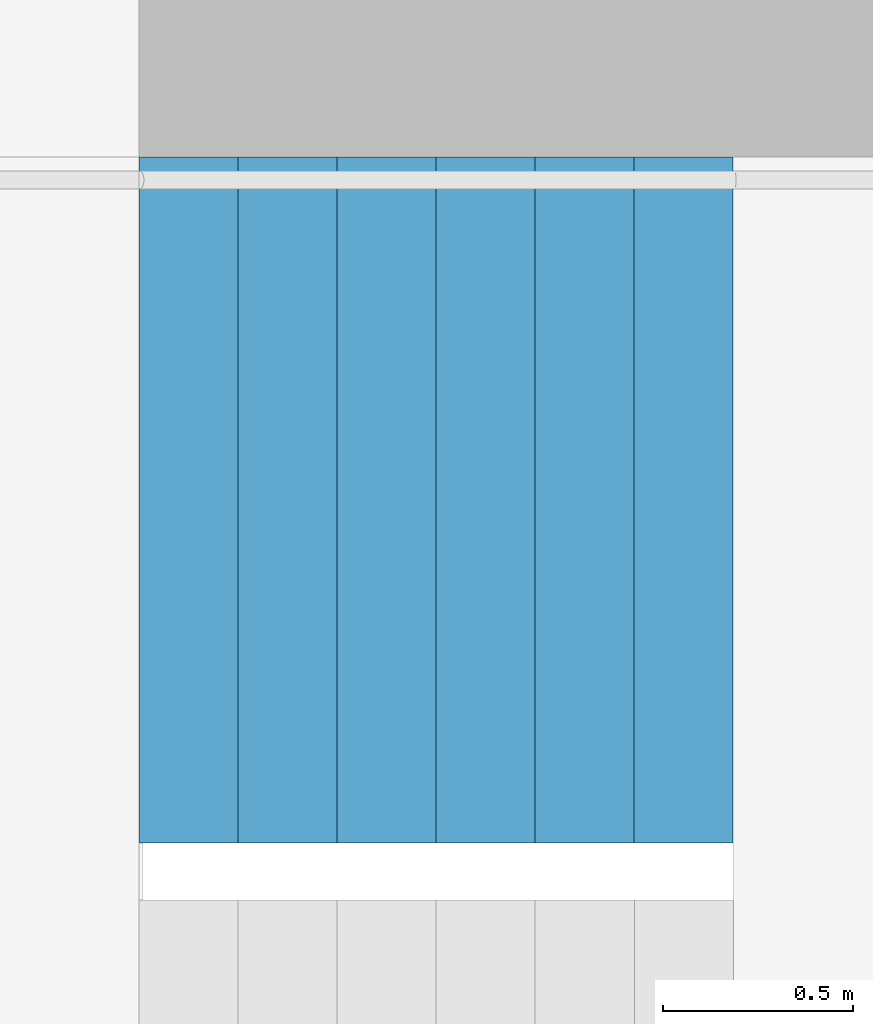
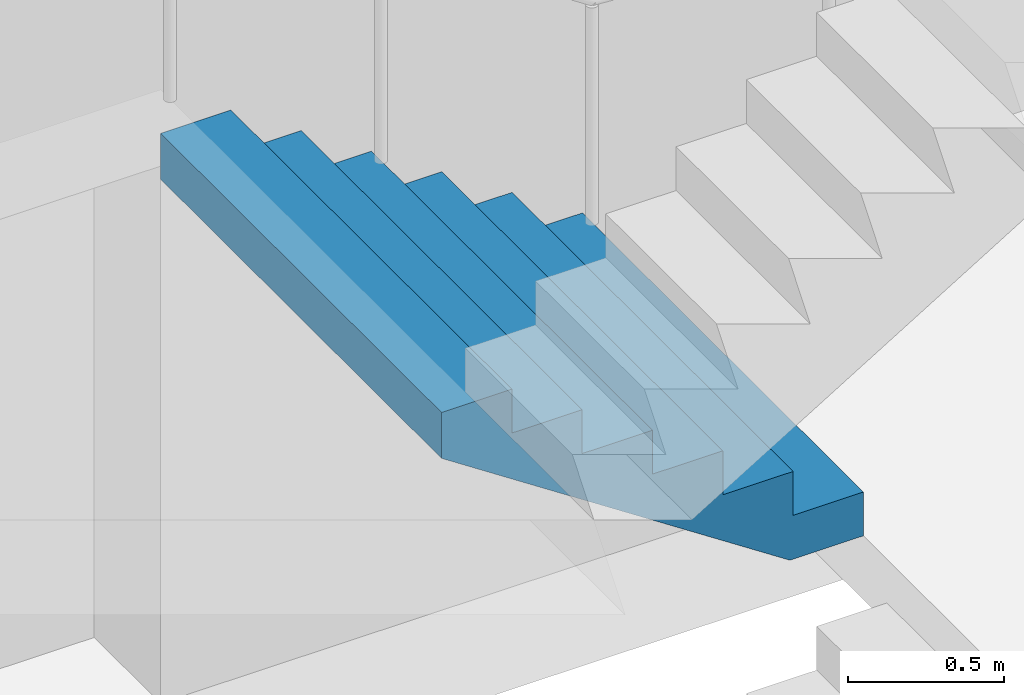
# One storey, part 33 of 53: 1 stair flight, 1 element without a shape of its own.
"""IFC4 building model written with IfcOpenShell, lengths in metres."""

import ifcopenshell
import ifcopenshell.guid

model = None  # the IFC model being written
_history = None  # IfcOwnerHistory: only IFC2X3 demands one
_inside = {}  # id of a spatial element -> (the spatial element, [elements in it])
_under = {}  # id of a project, library or spatial element -> (it, [spatial elements below it])
_declared = {}  # id of a project -> (the project, [libraries it declares])
_typed = {}  # id of a type object -> (the type object, [elements of that type])
_made_of = {}  # id of a material, layer set ... -> (it, [elements and type objects made of it])


def new_model(schema):
    """Start an empty IFC model of exactly this schema.

    Asked for "IFC4X3", IfcOpenShell would pick the latest addendum, in which some entities
    have other attributes; the version numbers below select the first issue.
    IFC2X3 requires an IfcOwnerHistory on every rooted entity: one is made here for all.
    """
    global model, _history
    if schema == "IFC4X3":
        model = ifcopenshell.file(schema_version=(4, 3, 0, 0))
    else:
        model = ifcopenshell.file(schema=schema)
    _inside.clear()
    _under.clear()
    _declared.clear()
    _typed.clear()
    _made_of.clear()
    _history = None
    if model.schema == "IFC2X3":
        org = make("IfcOrganization", Name="unknown")
        user = make(
            "IfcPersonAndOrganization",
            ThePerson=make("IfcPerson", FamilyName="unknown"),
            TheOrganization=org,
        )
        app = make(
            "IfcApplication",
            ApplicationDeveloper=org,
            Version="unknown",
            ApplicationFullName="unknown",
            ApplicationIdentifier="unknown",
        )
        _history = make(
            "IfcOwnerHistory",
            OwningUser=user,
            OwningApplication=app,
            ChangeAction="ADDED",
            CreationDate=0,
        )
    return model


def make(cls, **values):
    """One entity of the class cls with the attributes given. An attribute that is None is left unset."""
    return model.create_entity(
        cls, **{name: value for name, value in values.items() if value is not None}
    )


def rooted(cls, **values):
    """An entity with a GlobalId (a new one), such as an element, a storey or a relation."""
    return make(cls, GlobalId=ifcopenshell.guid.new(), OwnerHistory=_history, **values)


def si_unit(unit_type, name, prefix=None):
    """IfcSIUnit, for example si_unit("LENGTHUNIT", "METRE", prefix="MILLI")."""
    return make("IfcSIUnit", UnitType=unit_type, Prefix=prefix, Name=name)


def assignment(units):
    """IfcUnitAssignment: the units of a project."""
    return None if units is None else make("IfcUnitAssignment", Units=units)


def point(xyz):
    """IfcCartesianPoint."""
    return None if xyz is None else make("IfcCartesianPoint", Coordinates=xyz)


def direction(xyz):
    """IfcDirection."""
    return None if xyz is None else make("IfcDirection", DirectionRatios=xyz)


def frame(location, z_axis=None, x_axis=None):
    """IfcAxis2Placement3D, a coordinate frame: its origin and axes. An axis left out is left unset."""
    return make(
        "IfcAxis2Placement3D",
        Location=point(location),
        Axis=direction(z_axis),
        RefDirection=direction(x_axis),
    )


def origin():
    """The frame at (0, 0, 0) with its axes left unset."""
    return frame((0.0, 0.0, 0.0))


def place(relative_to, where):
    """IfcLocalPlacement: puts the frame where relative to a parent placement (None: the world)."""
    return make(
        "IfcLocalPlacement", PlacementRelTo=relative_to, RelativePlacement=where
    )


def context(
    kind, dimensions, precision=None, world=None, true_north=None, identifier=None
):
    """IfcGeometricRepresentationContext, for example the 3D "Model" context."""
    return make(
        "IfcGeometricRepresentationContext",
        ContextIdentifier=identifier,
        ContextType=kind,
        CoordinateSpaceDimension=dimensions,
        Precision=precision,
        WorldCoordinateSystem=world,
        TrueNorth=true_north,
    )


def subcontext(parent, identifier, kind, view, scale=None):
    """IfcGeometricRepresentationSubContext, for example "Body" below "Model"."""
    return make(
        "IfcGeometricRepresentationSubContext",
        ContextIdentifier=identifier,
        ContextType=kind,
        ParentContext=parent,
        TargetScale=scale,
        TargetView=view,
    )


def project(units=None, contexts=None):
    """IfcProject with its units and contexts."""
    return rooted(
        "IfcProject",
        Name="project",
        RepresentationContexts=contexts,
        UnitsInContext=assignment(units),
    )


def spatial(cls, under=None, at=None, **own):
    """A site, building, storey or space (cls), placed at a placement, below another one or the project."""
    s = rooted(cls, ObjectPlacement=at, **own)
    if under is not None:
        _under.setdefault(under.id(), (under, []))[1].append(s)
    return s


def point_list(points):
    """IfcCartesianPointList2D or 3D."""
    cls = (
        "IfcCartesianPointList2D" if len(points[0]) == 2 else "IfcCartesianPointList3D"
    )
    return make(cls, CoordList=points)


def triangles(points, corners, closed=None, point_numbers=None):
    """IfcTriangulatedFaceSet: each triangle names its three corners, points numbered from 1."""
    return make(
        "IfcTriangulatedFaceSet",
        Coordinates=point_list(points),
        Closed=closed,
        CoordIndex=corners,
        PnIndex=point_numbers,
    )


def shape(context_of_items, identifier, shape_type, items):
    """IfcShapeRepresentation: the items that make up one representation, for example the "Body"."""
    return make(
        "IfcShapeRepresentation",
        ContextOfItems=context_of_items,
        RepresentationIdentifier=identifier,
        RepresentationType=shape_type,
        Items=items,
    )


def material(Name=None, Category=None):
    """IfcMaterial."""
    return make("IfcMaterial", Name=Name, Category=Category)


def made_of(thing, what):
    """Note that an element or type object is made of a material, layer set ...; save() writes the relation."""
    if what is not None:
        _made_of.setdefault(what.id(), (what, []))[1].append(thing)
    return thing


def type_object(cls, material=None, **own):
    """A type object (cls), such as IfcWallType, which elements share."""
    return made_of(rooted(cls, **own), material)


def element(
    cls,
    number,
    at=None,
    inside=None,
    cuts=None,
    type_object=None,
    material=None,
    context=None,
    identifier="Body",
    shape_type=None,
    held_by="IfcProductDefinitionShape",
    body=None,
    shapes=None,
    **own,
):
    """One element of the class cls, such as IfcWall. Its Tag is "e" and its number.

    at: its placement. inside: the storey or other place that contains it. cuts: it is an
    opening in that element (IfcRelVoidsElement). A single representation is given by context,
    identifier, shape_type and body (its items); several are given by shapes. held_by: the class
    of the entity that holds the representations. save() writes the other relations.
    """
    e = rooted(cls, Tag="e%d" % number, ObjectPlacement=at, **own)
    if body is not None:
        shapes = [shape(context, identifier, shape_type, body)]
    if shapes is not None:
        e.Representation = make(held_by, Representations=shapes)
    if inside is not None:
        _inside.setdefault(inside.id(), (inside, []))[1].append(e)
    if cuts is not None:
        rooted(
            "IfcRelVoidsElement", RelatingBuildingElement=cuts, RelatedOpeningElement=e
        )
    if type_object is not None:
        _typed.setdefault(type_object.id(), (type_object, []))[1].append(e)
    return made_of(e, material)


def aggregate(whole, parts):
    """IfcRelAggregates: a whole, such as a stair, and the parts it consists of."""
    return rooted("IfcRelAggregates", RelatingObject=whole, RelatedObjects=parts)


def save(model, path):
    """Write the relations noted so far, then the file.

    IfcRelAggregates (storeys below a building ...), IfcRelContainedInSpatialStructure (elements
    in a storey), IfcRelDefinesByType, IfcRelAssociatesMaterial and IfcRelDeclares: one each for
    every whole, place, type object, material and project.
    """
    for whole, parts in _under.values():
        aggregate(whole, parts)
    for where, things in _inside.values():
        rooted(
            "IfcRelContainedInSpatialStructure",
            RelatedElements=things,
            RelatingStructure=where,
        )
    for kind, things in _typed.values():
        rooted("IfcRelDefinesByType", RelatedObjects=things, RelatingType=kind)
    for what, things in _made_of.values():
        rooted("IfcRelAssociatesMaterial", RelatedObjects=things, RelatingMaterial=what)
    for by, libraries in _declared.values():
        rooted("IfcRelDeclares", RelatingContext=by, RelatedDefinitions=libraries)
    model.write(path)


model = new_model("IFC4")

# Units and contexts
model_context = context("Model", 3, precision=1e-05, world=origin(), true_north=direction((0.0, 1.0)))
body_context = subcontext(model_context, "Body", "Model", "MODEL_VIEW")
ifc_project = project(units=[si_unit("LENGTHUNIT", "METRE"), si_unit("AREAUNIT", "SQUARE_METRE"), si_unit("VOLUMEUNIT", "CUBIC_METRE"), si_unit("PLANEANGLEUNIT", "RADIAN"), si_unit("MASSUNIT", "GRAM", prefix="KILO")], contexts=[model_context])

# Site, building, storey
site_placement = place(None, origin())
site = spatial("IfcSite", under=ifc_project, at=site_placement, CompositionType="ELEMENT")
building_placement = place(site_placement, origin())
building = spatial("IfcBuilding", under=site, at=building_placement, Name="Hakoniwa Tower and Hamabe Station Hall", CompositionType="ELEMENT")
storey_placement = place(building_placement, frame((0.0, 0.0, 15.0)))
storey = spatial("IfcBuildingStorey", under=building, at=storey_placement, Name="L03", CompositionType="ELEMENT", Elevation=15.0)

# Stair, stair flight
ifc_material_1 = material(Name="Concrete C40", Category="concrete")
stair_type = type_object("IfcStairType", Name="ESCAPE STAIR 1800", PredefinedType="HALF_TURN_STAIR", material=ifc_material_1)
stair_placement = place(storey_placement, origin())
stair = element("IfcStair", 1, at=stair_placement, inside=storey, type_object=stair_type, Name="Escape stair ST-1 L03", PredefinedType="HALF_TURN_STAIR")
ifc_material_2 = material(Name="Concrete C40", Category="concrete")
stair_flight_type = type_object("IfcStairFlightType", Name="STAIR FLIGHT 1800", PredefinedType="STRAIGHT", material=ifc_material_2)
stair_flight_placement = place(storey_placement, frame((-22.840087890625, 6.60009765625, 1.199951171875), z_axis=(0.0, 0.0, 1.0), x_axis=(-1.0, 0.0, 0.0)))
stair_flight = element("IfcStairFlight", 2, at=stair_flight_placement, type_object=stair_flight_type, Name="ST-1 flight 2", NumberOfRisers=7, NumberOfTreads=6, PredefinedType="STRAIGHT", RiserHeight=0.171428571, TreadLength=0.26, context=body_context, shape_type="Tessellation", body=[
    triangles([(0.0, 0.89990234375, 0.0), (0.260009765625, 0.89990234375, 0.0), (0.272216796875, 0.89990234375, 0.0), (0.52001953125, 0.89990234375, 0.163330078125), (0.780029296875, 0.89990234375, 0.334716796875), (1.0400390625, 0.89990234375, 0.506103515625), (1.300048828125, 0.89990234375, 0.677490234375), (1.56005859375, 0.89990234375, 0.84912109375), (1.56005859375, 0.89990234375, 1.028564453125), (1.300048828125, 0.89990234375, 1.028564453125), (1.300048828125, 0.89990234375, 0.857177734375), (1.0400390625, 0.89990234375, 0.857177734375), (1.0400390625, 0.89990234375, 0.685791015625), (0.780029296875, 0.89990234375, 0.685791015625), (0.780029296875, 0.89990234375, 0.514404296875), (0.52001953125, 0.89990234375, 0.514404296875), (0.52001953125, 0.89990234375, 0.3427734375), (0.272216796875, 0.89990234375, 0.3427734375), (0.260009765625, 0.89990234375, 0.3427734375), (0.260009765625, 0.89990234375, 0.17138671875), (0.0, 0.89990234375, 0.17138671875), (0.0, 0.06005859375, 0.0), (0.260009765625, 0.06005859375, 0.0), (0.272216796875, 0.06005859375, 0.0), (0.52001953125, 0.06005859375, 0.163330078125), (0.780029296875, 0.06005859375, 0.334716796875), (1.0400390625, 0.06005859375, 0.506103515625), (1.300048828125, 0.06005859375, 0.677490234375), (1.56005859375, 0.06005859375, 0.84912109375), (1.56005859375, 0.06005859375, 1.028564453125), (1.300048828125, 0.06005859375, 1.028564453125), (1.300048828125, 0.06005859375, 0.857177734375), (1.0400390625, 0.06005859375, 0.857177734375), (1.0400390625, 0.06005859375, 0.685791015625), (0.780029296875, 0.06005859375, 0.685791015625), (0.780029296875, 0.06005859375, 0.514404296875), (0.52001953125, 0.06005859375, 0.514404296875), (0.52001953125, 0.06005859375, 0.3427734375), (0.272216796875, 0.06005859375, 0.3427734375), (0.260009765625, 0.06005859375, 0.3427734375), (0.260009765625, 0.06005859375, 0.17138671875), (0.0, 0.06005859375, 0.17138671875), (0.0, 0.049072265625, 0.0), (0.260009765625, 0.049072265625, 0.0), (0.272216796875, 0.049072265625, 0.0), (0.52001953125, 0.049072265625, 0.163330078125), (0.780029296875, 0.049072265625, 0.334716796875), (1.0400390625, 0.049072265625, 0.506103515625), (1.300048828125, 0.049072265625, 0.677490234375), (1.56005859375, 0.049072265625, 0.84912109375), (1.56005859375, 0.049072265625, 1.028564453125), (1.300048828125, 0.049072265625, 1.028564453125), (1.300048828125, 0.049072265625, 0.857177734375), (1.0400390625, 0.049072265625, 0.857177734375), (1.0400390625, 0.049072265625, 0.685791015625), (0.780029296875, 0.049072265625, 0.685791015625), (0.780029296875, 0.049072265625, 0.514404296875), (0.52001953125, 0.049072265625, 0.514404296875), (0.52001953125, 0.049072265625, 0.3427734375), (0.272216796875, 0.049072265625, 0.3427734375), (0.260009765625, 0.049072265625, 0.3427734375), (0.260009765625, 0.049072265625, 0.17138671875), (0.0, 0.049072265625, 0.17138671875), (0.0, 0.0380859375, 0.0), (0.260009765625, 0.0380859375, 0.0), (0.272216796875, 0.0380859375, 0.0), (0.52001953125, 0.0380859375, 0.163330078125), (0.780029296875, 0.0380859375, 0.334716796875), (1.0400390625, 0.0380859375, 0.506103515625), (1.300048828125, 0.0380859375, 0.677490234375), (1.56005859375, 0.0380859375, 0.84912109375), (1.56005859375, 0.0380859375, 1.028564453125), (1.300048828125, 0.0380859375, 1.028564453125), (1.300048828125, 0.0380859375, 0.857177734375), (1.0400390625, 0.0380859375, 0.857177734375), (1.0400390625, 0.0380859375, 0.685791015625), (0.780029296875, 0.0380859375, 0.685791015625), (0.780029296875, 0.0380859375, 0.514404296875), (0.52001953125, 0.0380859375, 0.514404296875), (0.52001953125, 0.0380859375, 0.3427734375), (0.272216796875, 0.0380859375, 0.3427734375), (0.260009765625, 0.0380859375, 0.3427734375), (0.260009765625, 0.0380859375, 0.17138671875), (0.0, 0.0380859375, 0.17138671875), (0.0, 0.02734375, 0.0), (0.260009765625, 0.02734375, 0.0), (0.272216796875, 0.02734375, 0.0), (0.52001953125, 0.02734375, 0.163330078125), (0.780029296875, 0.02734375, 0.334716796875), (1.0400390625, 0.02734375, 0.506103515625), (1.300048828125, 0.02734375, 0.677490234375), (1.56005859375, 0.02734375, 0.84912109375), (1.56005859375, 0.02734375, 1.028564453125), (1.300048828125, 0.02734375, 1.028564453125), (1.300048828125, 0.02734375, 0.857177734375), (1.0400390625, 0.02734375, 0.857177734375), (1.0400390625, 0.02734375, 0.685791015625), (0.780029296875, 0.02734375, 0.685791015625), (0.780029296875, 0.02734375, 0.514404296875), (0.52001953125, 0.02734375, 0.514404296875), (0.52001953125, 0.02734375, 0.3427734375), (0.272216796875, 0.02734375, 0.3427734375), (0.260009765625, 0.02734375, 0.3427734375), (0.260009765625, 0.02734375, 0.17138671875), (0.0, 0.02734375, 0.17138671875), (0.0, 0.016357421875, 0.0), (0.260009765625, 0.016357421875, 0.0), (0.272216796875, 0.016357421875, 0.0), (0.52001953125, 0.016357421875, 0.163330078125), (0.780029296875, 0.016357421875, 0.334716796875), (1.0400390625, 0.016357421875, 0.506103515625), (1.300048828125, 0.016357421875, 0.677490234375), (1.56005859375, 0.016357421875, 0.84912109375), (1.56005859375, 0.016357421875, 1.028564453125), (1.300048828125, 0.016357421875, 1.028564453125), (1.300048828125, 0.016357421875, 0.857177734375), (1.0400390625, 0.016357421875, 0.857177734375), (1.0400390625, 0.016357421875, 0.685791015625), (0.780029296875, 0.016357421875, 0.685791015625), (0.780029296875, 0.016357421875, 0.514404296875), (0.52001953125, 0.016357421875, 0.514404296875), (0.52001953125, 0.016357421875, 0.3427734375), (0.272216796875, 0.016357421875, 0.3427734375), (0.260009765625, 0.016357421875, 0.3427734375), (0.260009765625, 0.016357421875, 0.17138671875), (0.0, 0.016357421875, 0.17138671875), (0.0, 0.00537109375, 0.0), (0.260009765625, 0.00537109375, 0.0), (0.272216796875, 0.00537109375, 0.0), (0.52001953125, 0.00537109375, 0.163330078125), (0.780029296875, 0.00537109375, 0.334716796875), (1.0400390625, 0.00537109375, 0.506103515625), (1.300048828125, 0.00537109375, 0.677490234375), (1.56005859375, 0.00537109375, 0.84912109375), (1.56005859375, 0.00537109375, 1.028564453125), (1.300048828125, 0.00537109375, 1.028564453125), (1.300048828125, 0.00537109375, 0.857177734375), (1.0400390625, 0.00537109375, 0.857177734375), (1.0400390625, 0.00537109375, 0.685791015625), (0.780029296875, 0.00537109375, 0.685791015625), (0.780029296875, 0.00537109375, 0.514404296875), (0.52001953125, 0.00537109375, 0.514404296875), (0.52001953125, 0.00537109375, 0.3427734375), (0.272216796875, 0.00537109375, 0.3427734375), (0.260009765625, 0.00537109375, 0.3427734375), (0.260009765625, 0.00537109375, 0.17138671875), (0.0, 0.00537109375, 0.17138671875), (0.0, -0.00537109375, 0.0), (0.260009765625, -0.00537109375, 0.0), (0.272216796875, -0.00537109375, 0.0), (0.52001953125, -0.00537109375, 0.163330078125), (0.780029296875, -0.00537109375, 0.334716796875), (1.0400390625, -0.00537109375, 0.506103515625), (1.300048828125, -0.00537109375, 0.677490234375), (1.56005859375, -0.00537109375, 0.84912109375), (1.56005859375, -0.00537109375, 1.028564453125), (1.300048828125, -0.00537109375, 1.028564453125), (1.300048828125, -0.00537109375, 0.857177734375), (1.0400390625, -0.00537109375, 0.857177734375), (1.0400390625, -0.00537109375, 0.685791015625), (0.780029296875, -0.00537109375, 0.685791015625), (0.780029296875, -0.00537109375, 0.514404296875), (0.52001953125, -0.00537109375, 0.514404296875), (0.52001953125, -0.00537109375, 0.3427734375), (0.272216796875, -0.00537109375, 0.3427734375), (0.260009765625, -0.00537109375, 0.3427734375), (0.260009765625, -0.00537109375, 0.17138671875), (0.0, -0.00537109375, 0.17138671875), (0.0, -0.016357421875, 0.0), (0.260009765625, -0.016357421875, 0.0), (0.272216796875, -0.016357421875, 0.0), (0.52001953125, -0.016357421875, 0.163330078125), (0.780029296875, -0.016357421875, 0.334716796875), (1.0400390625, -0.016357421875, 0.506103515625), (1.300048828125, -0.016357421875, 0.677490234375), (1.56005859375, -0.016357421875, 0.84912109375), (1.56005859375, -0.016357421875, 1.028564453125), (1.300048828125, -0.016357421875, 1.028564453125), (1.300048828125, -0.016357421875, 0.857177734375), (1.0400390625, -0.016357421875, 0.857177734375), (1.0400390625, -0.016357421875, 0.685791015625), (0.780029296875, -0.016357421875, 0.685791015625), (0.780029296875, -0.016357421875, 0.514404296875), (0.52001953125, -0.016357421875, 0.514404296875), (0.52001953125, -0.016357421875, 0.3427734375), (0.272216796875, -0.016357421875, 0.3427734375), (0.260009765625, -0.016357421875, 0.3427734375), (0.260009765625, -0.016357421875, 0.17138671875), (0.0, -0.016357421875, 0.17138671875), (0.0, -0.02734375, 0.0), (0.260009765625, -0.02734375, 0.0), (0.272216796875, -0.02734375, 0.0), (0.52001953125, -0.02734375, 0.163330078125), (0.780029296875, -0.02734375, 0.334716796875), (1.0400390625, -0.02734375, 0.506103515625), (1.300048828125, -0.02734375, 0.677490234375), (1.56005859375, -0.02734375, 0.84912109375), (1.56005859375, -0.02734375, 1.028564453125), (1.300048828125, -0.02734375, 1.028564453125), (1.300048828125, -0.02734375, 0.857177734375), (1.0400390625, -0.02734375, 0.857177734375), (1.0400390625, -0.02734375, 0.685791015625), (0.780029296875, -0.02734375, 0.685791015625), (0.780029296875, -0.02734375, 0.514404296875), (0.52001953125, -0.02734375, 0.514404296875), (0.52001953125, -0.02734375, 0.3427734375), (0.272216796875, -0.02734375, 0.3427734375), (0.260009765625, -0.02734375, 0.3427734375), (0.260009765625, -0.02734375, 0.17138671875), (0.0, -0.02734375, 0.17138671875), (0.0, -0.0380859375, 0.0), (0.260009765625, -0.0380859375, 0.0), (0.272216796875, -0.0380859375, 0.0), (0.52001953125, -0.0380859375, 0.163330078125), (0.780029296875, -0.0380859375, 0.334716796875), (1.0400390625, -0.0380859375, 0.506103515625), (1.300048828125, -0.0380859375, 0.677490234375), (1.56005859375, -0.0380859375, 0.84912109375), (1.56005859375, -0.0380859375, 1.028564453125), (1.300048828125, -0.0380859375, 1.028564453125), (1.300048828125, -0.0380859375, 0.857177734375), (1.0400390625, -0.0380859375, 0.857177734375), (1.0400390625, -0.0380859375, 0.685791015625), (0.780029296875, -0.0380859375, 0.685791015625), (0.780029296875, -0.0380859375, 0.514404296875), (0.52001953125, -0.0380859375, 0.514404296875), (0.52001953125, -0.0380859375, 0.3427734375), (0.272216796875, -0.0380859375, 0.3427734375), (0.260009765625, -0.0380859375, 0.3427734375), (0.260009765625, -0.0380859375, 0.17138671875), (0.0, -0.0380859375, 0.17138671875), (0.0, -0.049072265625, 0.0), (0.260009765625, -0.049072265625, 0.0), (0.272216796875, -0.049072265625, 0.0), (0.52001953125, -0.049072265625, 0.163330078125), (0.780029296875, -0.049072265625, 0.334716796875), (1.0400390625, -0.049072265625, 0.506103515625), (1.300048828125, -0.049072265625, 0.677490234375), (1.56005859375, -0.049072265625, 0.84912109375), (1.56005859375, -0.049072265625, 1.028564453125), (1.300048828125, -0.049072265625, 1.028564453125), (1.300048828125, -0.049072265625, 0.857177734375), (1.0400390625, -0.049072265625, 0.857177734375), (1.0400390625, -0.049072265625, 0.685791015625), (0.780029296875, -0.049072265625, 0.685791015625), (0.780029296875, -0.049072265625, 0.514404296875), (0.52001953125, -0.049072265625, 0.514404296875), (0.52001953125, -0.049072265625, 0.3427734375), (0.272216796875, -0.049072265625, 0.3427734375), (0.260009765625, -0.049072265625, 0.3427734375), (0.260009765625, -0.049072265625, 0.17138671875), (0.0, -0.049072265625, 0.17138671875), (0.0, -0.06005859375, 0.0), (0.260009765625, -0.06005859375, 0.0), (0.272216796875, -0.06005859375, 0.0), (0.52001953125, -0.06005859375, 0.163330078125), (0.780029296875, -0.06005859375, 0.334716796875), (1.0400390625, -0.06005859375, 0.506103515625), (1.300048828125, -0.06005859375, 0.677490234375), (1.56005859375, -0.06005859375, 0.84912109375), (1.56005859375, -0.06005859375, 1.028564453125), (1.300048828125, -0.06005859375, 1.028564453125), (1.300048828125, -0.06005859375, 0.857177734375), (1.0400390625, -0.06005859375, 0.857177734375), (1.0400390625, -0.06005859375, 0.685791015625), (0.780029296875, -0.06005859375, 0.685791015625), (0.780029296875, -0.06005859375, 0.514404296875), (0.52001953125, -0.06005859375, 0.514404296875), (0.52001953125, -0.06005859375, 0.3427734375), (0.272216796875, -0.06005859375, 0.3427734375), (0.260009765625, -0.06005859375, 0.3427734375), (0.260009765625, -0.06005859375, 0.17138671875), (0.0, -0.06005859375, 0.17138671875), (0.0, -0.89990234375, 0.0), (0.260009765625, -0.89990234375, 0.0), (0.272216796875, -0.89990234375, 0.0), (0.52001953125, -0.89990234375, 0.163330078125), (0.780029296875, -0.89990234375, 0.334716796875), (1.0400390625, -0.89990234375, 0.506103515625), (1.300048828125, -0.89990234375, 0.677490234375), (1.56005859375, -0.89990234375, 0.84912109375), (1.56005859375, -0.89990234375, 1.028564453125), (1.300048828125, -0.89990234375, 1.028564453125), (1.300048828125, -0.89990234375, 0.857177734375), (1.0400390625, -0.89990234375, 0.857177734375), (1.0400390625, -0.89990234375, 0.685791015625), (0.780029296875, -0.89990234375, 0.685791015625), (0.780029296875, -0.89990234375, 0.514404296875), (0.52001953125, -0.89990234375, 0.514404296875), (0.52001953125, -0.89990234375, 0.3427734375), (0.272216796875, -0.89990234375, 0.3427734375), (0.260009765625, -0.89990234375, 0.3427734375), (0.260009765625, -0.89990234375, 0.17138671875), (0.0, -0.89990234375, 0.17138671875)], [[2, 21, 20], [275, 293, 294], [2, 1, 21], [275, 294, 274], [3, 19, 18], [276, 291, 292], [3, 20, 19], [276, 292, 293], [3, 2, 20], [276, 293, 275], [4, 18, 17], [277, 290, 291], [4, 3, 18], [277, 291, 276], [5, 16, 15], [278, 288, 289], [5, 17, 16], [278, 289, 290], [5, 4, 17], [278, 290, 277], [6, 14, 13], [279, 286, 287], [6, 15, 14], [279, 287, 288], [6, 5, 15], [279, 288, 278], [7, 12, 11], [280, 284, 285], [7, 13, 12], [280, 285, 286], [7, 6, 13], [280, 286, 279], [8, 10, 9], [281, 282, 283], [8, 11, 10], [281, 283, 284], [8, 7, 11], [281, 284, 280], [1, 2, 23], [1, 23, 22], [22, 23, 44], [22, 44, 43], [43, 44, 65], [43, 65, 64], [64, 65, 86], [64, 86, 85], [85, 86, 107], [85, 107, 106], [106, 107, 128], [106, 128, 127], [127, 128, 149], [127, 149, 148], [148, 149, 170], [148, 170, 169], [169, 170, 191], [169, 191, 190], [190, 191, 212], [190, 212, 211], [211, 212, 233], [211, 233, 232], [232, 233, 254], [232, 254, 253], [253, 254, 275], [253, 275, 274], [2, 3, 24], [2, 24, 23], [23, 24, 45], [23, 45, 44], [44, 45, 66], [44, 66, 65], [65, 66, 87], [65, 87, 86], [86, 87, 108], [86, 108, 107], [107, 108, 129], [107, 129, 128], [128, 129, 150], [128, 150, 149], [149, 150, 171], [149, 171, 170], [170, 171, 192], [170, 192, 191], [191, 192, 213], [191, 213, 212], [212, 213, 234], [212, 234, 233], [233, 234, 255], [233, 255, 254], [254, 255, 276], [254, 276, 275], [3, 4, 25], [3, 25, 24], [24, 25, 46], [24, 46, 45], [45, 46, 67], [45, 67, 66], [66, 67, 88], [66, 88, 87], [87, 88, 109], [87, 109, 108], [108, 109, 130], [108, 130, 129], [129, 130, 151], [129, 151, 150], [150, 151, 172], [150, 172, 171], [171, 172, 193], [171, 193, 192], [192, 193, 214], [192, 214, 213], [213, 214, 235], [213, 235, 234], [234, 235, 256], [234, 256, 255], [255, 256, 277], [255, 277, 276], [4, 5, 26], [4, 26, 25], [25, 26, 47], [25, 47, 46], [46, 47, 68], [46, 68, 67], [67, 68, 89], [67, 89, 88], [88, 89, 110], [88, 110, 109], [109, 110, 131], [109, 131, 130], [130, 131, 152], [130, 152, 151], [151, 152, 173], [151, 173, 172], [172, 173, 194], [172, 194, 193], [193, 194, 215], [193, 215, 214], [214, 215, 236], [214, 236, 235], [235, 236, 257], [235, 257, 256], [256, 257, 278], [256, 278, 277], [5, 6, 27], [5, 27, 26], [26, 27, 48], [26, 48, 47], [47, 48, 69], [47, 69, 68], [68, 69, 90], [68, 90, 89], [89, 90, 111], [89, 111, 110], [110, 111, 132], [110, 132, 131], [131, 132, 153], [131, 153, 152], [152, 153, 174], [152, 174, 173], [173, 174, 195], [173, 195, 194], [194, 195, 216], [194, 216, 215], [215, 216, 237], [215, 237, 236], [236, 237, 258], [236, 258, 257], [257, 258, 279], [257, 279, 278], [6, 7, 28], [6, 28, 27], [27, 28, 49], [27, 49, 48], [48, 49, 70], [48, 70, 69], [69, 70, 91], [69, 91, 90], [90, 91, 112], [90, 112, 111], [111, 112, 133], [111, 133, 132], [132, 133, 154], [132, 154, 153], [153, 154, 175], [153, 175, 174], [174, 175, 196], [174, 196, 195], [195, 196, 217], [195, 217, 216], [216, 217, 238], [216, 238, 237], [237, 238, 259], [237, 259, 258], [258, 259, 280], [258, 280, 279], [7, 8, 29], [7, 29, 28], [28, 29, 50], [28, 50, 49], [49, 50, 71], [49, 71, 70], [70, 71, 92], [70, 92, 91], [91, 92, 113], [91, 113, 112], [112, 113, 134], [112, 134, 133], [133, 134, 155], [133, 155, 154], [154, 155, 176], [154, 176, 175], [175, 176, 197], [175, 197, 196], [196, 197, 218], [196, 218, 217], [217, 218, 239], [217, 239, 238], [238, 239, 260], [238, 260, 259], [259, 260, 281], [259, 281, 280], [8, 9, 30], [8, 30, 29], [29, 30, 51], [29, 51, 50], [50, 51, 72], [50, 72, 71], [71, 72, 93], [71, 93, 92], [92, 93, 114], [92, 114, 113], [113, 114, 135], [113, 135, 134], [134, 135, 156], [134, 156, 155], [155, 156, 177], [155, 177, 176], [176, 177, 198], [176, 198, 197], [197, 198, 219], [197, 219, 218], [218, 219, 240], [218, 240, 239], [239, 240, 261], [239, 261, 260], [260, 261, 282], [260, 282, 281], [9, 10, 31], [9, 31, 30], [30, 31, 52], [30, 52, 51], [51, 52, 73], [51, 73, 72], [72, 73, 94], [72, 94, 93], [93, 94, 115], [93, 115, 114], [114, 115, 136], [114, 136, 135], [135, 136, 157], [135, 157, 156], [156, 157, 178], [156, 178, 177], [177, 178, 199], [177, 199, 198], [198, 199, 220], [198, 220, 219], [219, 220, 241], [219, 241, 240], [240, 241, 262], [240, 262, 261], [261, 262, 283], [261, 283, 282], [10, 11, 32], [10, 32, 31], [31, 32, 53], [31, 53, 52], [52, 53, 74], [52, 74, 73], [73, 74, 95], [73, 95, 94], [94, 95, 116], [94, 116, 115], [115, 116, 137], [115, 137, 136], [136, 137, 158], [136, 158, 157], [157, 158, 179], [157, 179, 178], [178, 179, 200], [178, 200, 199], [199, 200, 221], [199, 221, 220], [220, 221, 242], [220, 242, 241], [241, 242, 263], [241, 263, 262], [262, 263, 284], [262, 284, 283], [11, 12, 33], [11, 33, 32], [32, 33, 54], [32, 54, 53], [53, 54, 75], [53, 75, 74], [74, 75, 96], [74, 96, 95], [95, 96, 117], [95, 117, 116], [116, 117, 138], [116, 138, 137], [137, 138, 159], [137, 159, 158], [158, 159, 180], [158, 180, 179], [179, 180, 201], [179, 201, 200], [200, 201, 222], [200, 222, 221], [221, 222, 243], [221, 243, 242], [242, 243, 264], [242, 264, 263], [263, 264, 285], [263, 285, 284], [12, 13, 34], [12, 34, 33], [33, 34, 55], [33, 55, 54], [54, 55, 76], [54, 76, 75], [75, 76, 97], [75, 97, 96], [96, 97, 118], [96, 118, 117], [117, 118, 139], [117, 139, 138], [138, 139, 160], [138, 160, 159], [159, 160, 181], [159, 181, 180], [180, 181, 202], [180, 202, 201], [201, 202, 223], [201, 223, 222], [222, 223, 244], [222, 244, 243], [243, 244, 265], [243, 265, 264], [264, 265, 286], [264, 286, 285], [13, 14, 35], [13, 35, 34], [34, 35, 56], [34, 56, 55], [55, 56, 77], [55, 77, 76], [76, 77, 98], [76, 98, 97], [97, 98, 119], [97, 119, 118], [118, 119, 140], [118, 140, 139], [139, 140, 161], [139, 161, 160], [160, 161, 182], [160, 182, 181], [181, 182, 203], [181, 203, 202], [202, 203, 224], [202, 224, 223], [223, 224, 245], [223, 245, 244], [244, 245, 266], [244, 266, 265], [265, 266, 287], [265, 287, 286], [14, 15, 36], [14, 36, 35], [35, 36, 57], [35, 57, 56], [56, 57, 78], [56, 78, 77], [77, 78, 99], [77, 99, 98], [98, 99, 120], [98, 120, 119], [119, 120, 141], [119, 141, 140], [140, 141, 162], [140, 162, 161], [161, 162, 183], [161, 183, 182], [182, 183, 204], [182, 204, 203], [203, 204, 225], [203, 225, 224], [224, 225, 246], [224, 246, 245], [245, 246, 267], [245, 267, 266], [266, 267, 288], [266, 288, 287], [15, 16, 37], [15, 37, 36], [36, 37, 58], [36, 58, 57], [57, 58, 79], [57, 79, 78], [78, 79, 100], [78, 100, 99], [99, 100, 121], [99, 121, 120], [120, 121, 142], [120, 142, 141], [141, 142, 163], [141, 163, 162], [162, 163, 184], [162, 184, 183], [183, 184, 205], [183, 205, 204], [204, 205, 226], [204, 226, 225], [225, 226, 247], [225, 247, 246], [246, 247, 268], [246, 268, 267], [267, 268, 289], [267, 289, 288], [16, 17, 38], [16, 38, 37], [37, 38, 59], [37, 59, 58], [58, 59, 80], [58, 80, 79], [79, 80, 101], [79, 101, 100], [100, 101, 122], [100, 122, 121], [121, 122, 143], [121, 143, 142], [142, 143, 164], [142, 164, 163], [163, 164, 185], [163, 185, 184], [184, 185, 206], [184, 206, 205], [205, 206, 227], [205, 227, 226], [226, 227, 248], [226, 248, 247], [247, 248, 269], [247, 269, 268], [268, 269, 290], [268, 290, 289], [17, 18, 39], [17, 39, 38], [38, 39, 60], [38, 60, 59], [59, 60, 81], [59, 81, 80], [80, 81, 102], [80, 102, 101], [101, 102, 123], [101, 123, 122], [122, 123, 144], [122, 144, 143], [143, 144, 165], [143, 165, 164], [164, 165, 186], [164, 186, 185], [185, 186, 207], [185, 207, 206], [206, 207, 228], [206, 228, 227], [227, 228, 249], [227, 249, 248], [248, 249, 270], [248, 270, 269], [269, 270, 291], [269, 291, 290], [18, 19, 40], [18, 40, 39], [39, 40, 61], [39, 61, 60], [60, 61, 82], [60, 82, 81], [81, 82, 103], [81, 103, 102], [102, 103, 124], [102, 124, 123], [123, 124, 145], [123, 145, 144], [144, 145, 166], [144, 166, 165], [165, 166, 187], [165, 187, 186], [186, 187, 208], [186, 208, 207], [207, 208, 229], [207, 229, 228], [228, 229, 250], [228, 250, 249], [249, 250, 271], [249, 271, 270], [270, 271, 292], [270, 292, 291], [19, 20, 41], [19, 41, 40], [40, 41, 62], [40, 62, 61], [61, 62, 83], [61, 83, 82], [82, 83, 104], [82, 104, 103], [103, 104, 125], [103, 125, 124], [124, 125, 146], [124, 146, 145], [145, 146, 167], [145, 167, 166], [166, 167, 188], [166, 188, 187], [187, 188, 209], [187, 209, 208], [208, 209, 230], [208, 230, 229], [229, 230, 251], [229, 251, 250], [250, 251, 272], [250, 272, 271], [271, 272, 293], [271, 293, 292], [20, 21, 42], [20, 42, 41], [41, 42, 63], [41, 63, 62], [62, 63, 84], [62, 84, 83], [83, 84, 105], [83, 105, 104], [104, 105, 126], [104, 126, 125], [125, 126, 147], [125, 147, 146], [146, 147, 168], [146, 168, 167], [167, 168, 189], [167, 189, 188], [188, 189, 210], [188, 210, 209], [209, 210, 231], [209, 231, 230], [230, 231, 252], [230, 252, 251], [251, 252, 273], [251, 273, 272], [272, 273, 294], [272, 294, 293], [21, 1, 22], [21, 22, 42], [42, 22, 43], [42, 43, 63], [63, 43, 64], [63, 64, 84], [84, 64, 85], [84, 85, 105], [105, 85, 106], [105, 106, 126], [126, 106, 127], [126, 127, 147], [147, 127, 148], [147, 148, 168], [168, 148, 169], [168, 169, 189], [189, 169, 190], [189, 190, 210], [210, 190, 211], [210, 211, 231], [231, 211, 232], [231, 232, 252], [252, 232, 253], [252, 253, 273], [273, 253, 274], [273, 274, 294]], closed=True),
])
aggregate(stair, [stair_flight])

save(model, "model.ifc")
